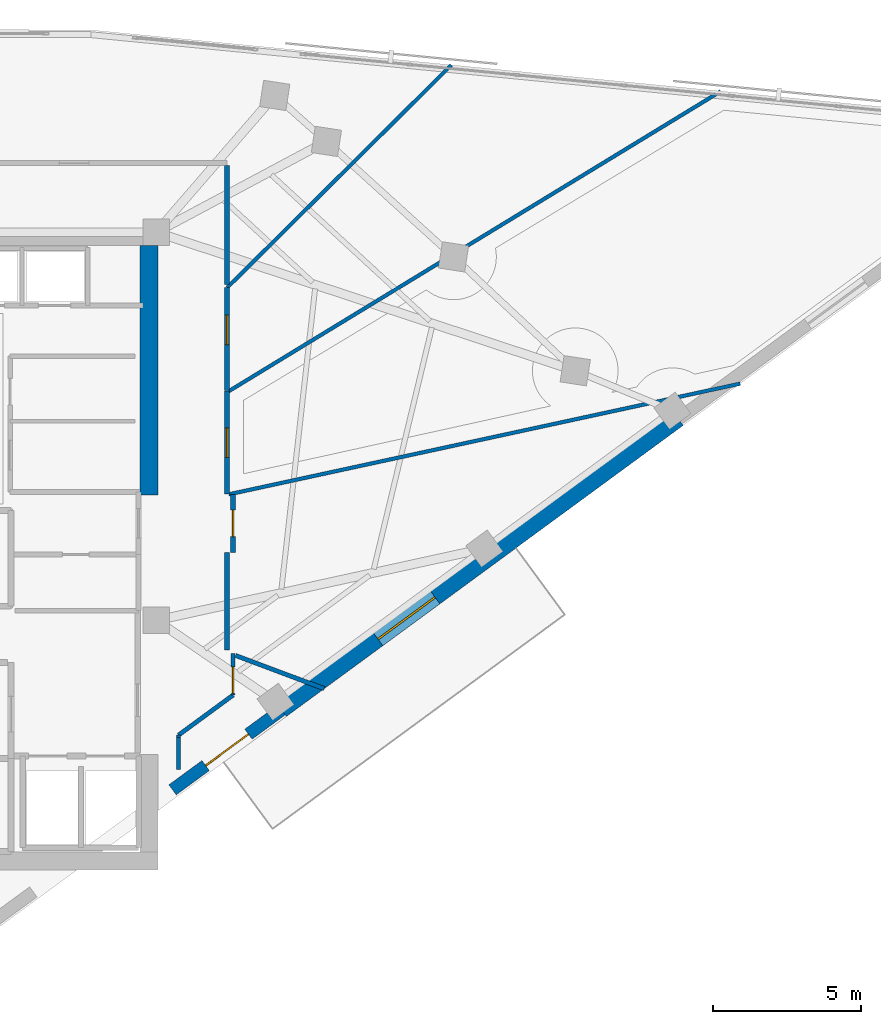
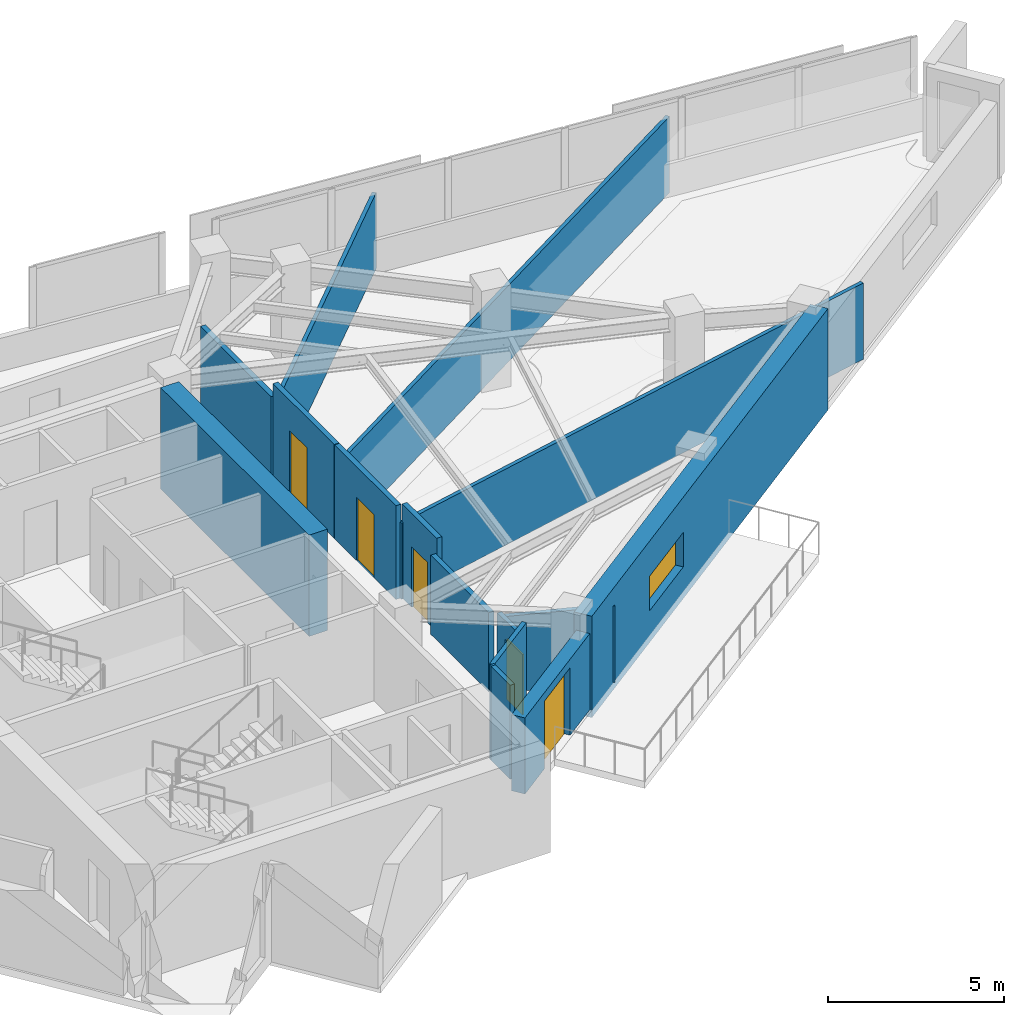
# One storey, part 10 of 13: 16 walls, 5 doors, 1 window, 6 openings.
"""IFC4 building model written with IfcOpenShell, lengths in metres."""

from ifc_helpers import new_model, si_unit, direction, frame, frame_2d, origin, place, context, subcontext, project, spatial, rectangle, extrude, material, layer, layer_set, type_object, element, fill, save


model = new_model("IFC4")

# Units and contexts
model_context = context("Model", 3, precision=1e-05, world=origin(), true_north=direction((0.0, 1.0)))
body_context = subcontext(model_context, "Body", "Model", "MODEL_VIEW")
ifc_project = project(units=[si_unit("LENGTHUNIT", "METRE"), si_unit("AREAUNIT", "SQUARE_METRE"), si_unit("VOLUMEUNIT", "CUBIC_METRE"), si_unit("PLANEANGLEUNIT", "RADIAN"), si_unit("MASSUNIT", "GRAM", prefix="KILO")], contexts=[model_context])

# Site, building, storey
site_placement = place(None, origin())
site = spatial("IfcSite", under=ifc_project, at=site_placement, CompositionType="ELEMENT")
building_placement = place(site_placement, origin())
building = spatial("IfcBuilding", under=site, at=building_placement, Name="Narakoshi Arena Tower", CompositionType="ELEMENT")
storey_placement = place(building_placement, frame((0.0, 0.0, 232.580078125)))
storey = spatial("IfcBuildingStorey", under=building, at=storey_placement, Name="L63", CompositionType="ELEMENT", Elevation=232.580078125)

# Walls
ifc_material_1 = material(Name="Concrete C50/60", Category="concrete")
ifc_layer_1 = layer(ifc_material_1, 0.60009765625)
ifc_layer_set_1 = layer_set([ifc_layer_1], Name="Concrete C50/60")
wall_type_1 = type_object("IfcWallType", Name="WL-CORE-600", PredefinedType="SHEAR", material=ifc_layer_set_1)
wall_1_placement = place(storey_placement, frame((85.300048828125, 47.60009765625, -0.260009765625), z_axis=(0.0, 0.0, 1.0), x_axis=(0.0, 1.0, 0.0)))
element("IfcWall", 1, at=wall_1_placement, inside=storey, type_object=wall_type_1, Name="L63 Main Core Shear Wall CW-MN-E", PredefinedType="SHEAR", context=body_context, shape_type="SweptSolid", body=[
    extrude(rectangle(XDim=8.449951171875, YDim=0.60009765625, at=frame_2d((4.22509765625, 0.0))), origin(), (0.0, 0.0, 1.0), 3.52001953125),
])
ifc_material_2 = material(Name="Gypsum plasterboard fire-rated partition")
ifc_layer_2 = layer(ifc_material_2, 0.1650390625)
ifc_layer_set_2 = layer_set([ifc_layer_2], Name="Gypsum plasterboard fire-rated partition")
wall_type_2 = type_object("IfcWallType", Name="WL-CORR-165", PredefinedType="PARTITIONING", material=ifc_layer_set_2)
wall_2_placement = place(storey_placement, frame((87.949951171875, 42.35009765625, 0.0), z_axis=(0.0, 0.0, 1.0), x_axis=(0.0, 1.0, 0.0)))
element("IfcWall", 2, at=wall_2_placement, inside=storey, type_object=wall_type_2, Name="L63 Corridor Partition 03-1", PredefinedType="PARTITIONING", context=body_context, shape_type="SweptSolid", body=[
    extrude(rectangle(XDim=3.2998046875, YDim=0.1650390625, at=frame_2d((1.64990234375, 0.0))), origin(), (0.0, 0.0, 1.0), 2.744873046875),
])

# Wall, opening, door
wall_3_placement = place(storey_placement, frame((88.14990234375, 45.64990234375, 0.0), z_axis=(0.0, 0.0, 1.0), x_axis=(0.0, 1.0, 0.0)))
wall_3 = element("IfcWall", 3, at=wall_3_placement, inside=storey, type_object=wall_type_2, Name="L63 Corridor Partition 03-2", PredefinedType="PARTITIONING", context=body_context, shape_type="SweptSolid", body=[
    extrude(rectangle(XDim=1.97021484375, YDim=0.1650390625, at=frame_2d((0.985107421875, 0.0))), origin(), (0.0, 0.0, 1.0), 3.260009765625),
])
opening_1_placement = place(wall_3_placement, frame((0.534912109375, 0.0, 0.0)))
opening_1 = element("IfcOpeningElement", 4, at=opening_1_placement, cuts=wall_3, Name="Opening D-08", PredefinedType="OPENING", context=body_context, shape_type="SweptSolid", body=[
    extrude(rectangle(XDim=0.89990234375, YDim=2.10009765625, at=frame_2d((0.449951171875, 1.050048828125))), frame((0.0, 0.092529296875, 0.0), z_axis=(0.0, -1.0, 0.0), x_axis=(1.0, 0.0, 0.0)), (0.0, 0.0, 1.0), 0.18505859375),
])
ifc_material_3 = material(Name="Moisture-resistant laminate timber", Category="wood")
door_type_1 = type_object("IfcDoorType", Name="DR-WC-900", OperationType="NOTDEFINED", PredefinedType="DOOR", material=ifc_material_3)
door_1_placement = place(opening_1_placement, frame((0.89990234375, 0.0, 0.0), z_axis=(0.0, 0.0, 1.0), x_axis=(-1.0, 0.0, 0.0)))
door_1 = element("IfcDoor", 5, at=door_1_placement, inside=storey, type_object=door_type_1, Name="DR-L63-019", OperationType="SINGLE_SWING_LEFT", OverallHeight=2.10009765625, OverallWidth=0.89990234375, PredefinedType="DOOR", context=body_context, shape_type="SweptSolid", body=[
    extrude(rectangle(XDim=0.89990234375, YDim=2.10009765625, at=frame_2d((0.449951171875, 1.050048828125))), frame((0.0, 0.02490234375, 0.0), z_axis=(0.0, -1.0, 0.0), x_axis=(1.0, 0.0, 0.0)), (0.0, 0.0, 1.0), 0.050048828125),
])
fill(opening_1, door_1)

wall_4_placement = place(storey_placement, frame((87.949951171875, 47.63232421875, 0.0), z_axis=(0.0, 0.0, 1.0), x_axis=(0.0, 1.0, 0.0)))
wall_4 = element("IfcWall", 6, at=wall_4_placement, inside=storey, type_object=wall_type_2, Name="L63 Corridor Partition 04-1", PredefinedType="PARTITIONING", context=body_context, shape_type="SweptSolid", body=[
    extrude(rectangle(XDim=3.48095703125, YDim=0.1650390625, at=frame_2d((1.740478515625, 0.0))), origin(), (0.0, 0.0, 1.0), 3.260009765625),
])
opening_2_placement = place(wall_4_placement, frame((1.240478515625, 0.0, 0.0)))
opening_2 = element("IfcOpeningElement", 7, at=opening_2_placement, cuts=wall_4, Name="Opening D-06", PredefinedType="OPENING", context=body_context, shape_type="SweptSolid", body=[
    extrude(rectangle(XDim=1.0, YDim=2.199951171875, at=frame_2d((0.5, 1.10009765625))), frame((0.0, 0.092529296875, 0.0), z_axis=(0.0, -1.0, 0.0), x_axis=(1.0, 0.0, 0.0)), (0.0, 0.0, 1.0), 0.18505859375),
])
ifc_material_4 = material(Name="Stained oak solid-core timber", Category="wood")
door_type_2 = type_object("IfcDoorType", Name="DR-OFF-1000", OperationType="NOTDEFINED", PredefinedType="DOOR", material=ifc_material_4)
door_2_placement = place(opening_2_placement, frame((1.0, 0.0, 0.0), z_axis=(0.0, 0.0, 1.0), x_axis=(-1.0, 0.0, 0.0)))
door_2 = element("IfcDoor", 8, at=door_2_placement, inside=storey, type_object=door_type_2, Name="DR-L63-020", OperationType="SINGLE_SWING_RIGHT", OverallHeight=2.199951171875, OverallWidth=1.0, PredefinedType="DOOR", context=body_context, shape_type="SweptSolid", body=[
    extrude(rectangle(XDim=1.0, YDim=2.199951171875, at=frame_2d((0.5, 1.10009765625))), frame((0.0, 0.02490234375, 0.0), z_axis=(0.0, -1.0, 0.0), x_axis=(1.0, 0.0, 0.0)), (0.0, 0.0, 1.0), 0.050048828125),
])
fill(opening_2, door_2)

wall_5_placement = place(storey_placement, frame((87.949951171875, 51.14111328125, 0.0), z_axis=(0.0, 0.0, 1.0), x_axis=(0.0, 1.0, 0.0)))
wall_5 = element("IfcWall", 9, at=wall_5_placement, inside=storey, type_object=wall_type_2, Name="L63 Corridor Partition 05-1", PredefinedType="PARTITIONING", context=body_context, shape_type="SweptSolid", body=[
    extrude(rectangle(XDim=3.48095703125, YDim=0.1650390625, at=frame_2d((1.740478515625, 0.0))), origin(), (0.0, 0.0, 1.0), 3.260009765625),
])
opening_3_placement = place(wall_5_placement, frame((1.552490234375, 0.0, 0.0)))
opening_3 = element("IfcOpeningElement", 10, at=opening_3_placement, cuts=wall_5, Name="Opening D-06", PredefinedType="OPENING", context=body_context, shape_type="SweptSolid", body=[
    extrude(rectangle(XDim=1.0, YDim=2.199951171875, at=frame_2d((0.5, 1.10009765625))), frame((0.0, 0.092529296875, 0.0), z_axis=(0.0, -1.0, 0.0), x_axis=(1.0, 0.0, 0.0)), (0.0, 0.0, 1.0), 0.18505859375),
])
door_3_placement = place(opening_3_placement, frame((1.0, 0.0, 0.0), z_axis=(0.0, 0.0, 1.0), x_axis=(-1.0, 0.0, 0.0)))
door_3 = element("IfcDoor", 11, at=door_3_placement, inside=storey, type_object=door_type_2, Name="DR-L63-021", OperationType="SINGLE_SWING_LEFT", OverallHeight=2.199951171875, OverallWidth=1.0, PredefinedType="DOOR", context=body_context, shape_type="SweptSolid", body=[
    extrude(rectangle(XDim=1.0, YDim=2.199951171875, at=frame_2d((0.5, 1.10009765625))), frame((0.0, 0.02490234375, 0.0), z_axis=(0.0, -1.0, 0.0), x_axis=(1.0, 0.0, 0.0)), (0.0, 0.0, 1.0), 0.050048828125),
])
fill(opening_3, door_3)

# Wall
wall_6_placement = place(storey_placement, frame((87.949951171875, 54.72705078125, 0.0), z_axis=(0.0, 0.0, 1.0), x_axis=(0.0, 1.0, 0.0)))
element("IfcWall", 12, at=wall_6_placement, inside=storey, type_object=wall_type_2, Name="L63 Corridor Partition 06-2", PredefinedType="PARTITIONING", context=body_context, shape_type="SweptSolid", body=[
    extrude(rectangle(XDim=4.028564453125, YDim=0.1650390625, at=frame_2d((2.01416015625, 0.0))), origin(), (0.0, 0.0, 1.0), 2.744873046875),
])

# Wall, opening, window
ifc_layer_3 = layer(ifc_material_1, 0.550048828125)
ifc_layer_set_3 = layer_set([ifc_layer_3], Name="Concrete C50/60")
wall_type_3 = type_object("IfcWallType", Name="WL-LEG-550", PredefinedType="SHEAR", material=ifc_layer_set_3)
wall_7_placement = place(storey_placement, frame((89.79052734375, 40.31640625, -0.260009765625), z_axis=(0.0, 0.0, 1.0), x_axis=(0.806449218078, 0.591303355868, 0.0)))
wall_7 = element("IfcWall", 13, at=wall_7_placement, inside=storey, type_object=wall_type_3, Name="L63 Architectural Concrete Structural Wall LEGA-3", PredefinedType="SHEAR", context=body_context, shape_type="SweptSolid", body=[
    extrude(rectangle(XDim=16.673095703125, YDim=0.550048828125, at=frame_2d((8.33642578125, 0.0))), origin(), (0.0, 0.0, 1.0), 3.52001953125),
])
opening_4_placement = place(wall_7_placement, frame((4.0537109375, 0.0, 1.10009765625)))
opening_4 = element("IfcOpeningElement", 14, at=opening_4_placement, cuts=wall_7, Name="Opening WN-04", PredefinedType="OPENING", context=body_context, shape_type="SweptSolid", body=[
    extrude(rectangle(XDim=2.39990234375, YDim=1.199951171875, at=frame_2d((1.199951171875, 0.60009765625))), frame((0.0, 0.284912109375, 0.0), z_axis=(0.0, -1.0, 0.0), x_axis=(1.0, 0.0, 0.0)), (0.0, 0.0, 1.0), 0.570068359375),
])
ifc_material_5 = material(Name="Bronze-tinted low-E laminated glass", Category="glass")
window_type = type_object("IfcWindowType", Name="WIN-SLT-24x12", PartitioningType="SINGLE_PANEL", PredefinedType="WINDOW", material=ifc_material_5)
window_placement = place(opening_4_placement, origin())
window = element("IfcWindow", 15, at=window_placement, inside=storey, type_object=window_type, Name="L63 LEGA3 Horizontal Slot Window 1", OverallHeight=1.199951171875, OverallWidth=2.39990234375, PartitioningType="SINGLE_PANEL", PredefinedType="WINDOW", context=body_context, shape_type="SweptSolid", body=[
    extrude(rectangle(XDim=2.39990234375, YDim=1.199951171875, at=frame_2d((1.199951171875, 0.60009765625))), frame((0.0, 0.030029296875, 0.0), z_axis=(0.0, -1.0, 0.0), x_axis=(1.0, 0.0, 0.0)), (0.0, 0.0, 1.0), 0.06005859375),
])
fill(opening_4, window)

# Walls
ifc_layer_4 = layer(ifc_material_2, 0.125)
ifc_layer_set_4 = layer_set([ifc_layer_4], Name="Gypsum plasterboard fire-rated partition")
wall_type_4 = type_object("IfcWallType", Name="WL-PART-125", PredefinedType="PARTITIONING", material=ifc_layer_set_4)
wall_8_placement = place(storey_placement, frame((88.005126953125, 47.6201171875, 0.0), z_axis=(0.0, 0.0, 1.0), x_axis=(0.977367010923, 0.211550764497, 0.0)))
element("IfcWall", 16, at=wall_8_placement, inside=storey, type_object=wall_type_4, Name="L63 Inter-Room Partition 03-04", PredefinedType="PARTITIONING", context=body_context, shape_type="SweptSolid", body=[
    extrude(rectangle(XDim=17.727294921875, YDim=0.125, at=frame_2d((8.86376953125, 0.0))), origin(), (0.0, 0.0, 1.0), 2.64501953125),
])
wall_9_placement = place(storey_placement, frame((88.002197265625, 51.11328125, 0.0), z_axis=(0.0, 0.0, 1.0), x_axis=(0.853848496669, 0.520521608327, 0.0)))
element("IfcWall", 17, at=wall_9_placement, inside=storey, type_object=wall_type_4, Name="L63 Inter-Room Partition 04-05", PredefinedType="PARTITIONING", context=body_context, shape_type="SweptSolid", body=[
    extrude(rectangle(XDim=19.525390625, YDim=0.125, at=frame_2d((9.7626953125, 0.0))), origin(), (0.0, 0.0, 1.0), 2.64501953125),
])
wall_10_placement = place(storey_placement, frame((87.949951171875, 54.6220703125, 0.0), z_axis=(0.0, 0.0, 1.0), x_axis=(0.709497673472, 0.704707777265, 0.0)))
element("IfcWall", 18, at=wall_10_placement, inside=storey, type_object=wall_type_4, Name="L63 Inter-Room Partition 05-06", PredefinedType="PARTITIONING", context=body_context, shape_type="SweptSolid", body=[
    extrude(rectangle(XDim=10.70361328125, YDim=0.125, at=frame_2d((5.351806640625, 0.0))), origin(), (0.0, 0.0, 1.0), 2.64501953125),
])

# Wall, opening, door
ifc_material_6 = material(Name="Precast concrete C45/55", Category="concrete")
ifc_layer_5 = layer(ifc_material_6, 0.419921875)
ifc_layer_set_5 = layer_set([ifc_layer_5], Name="Precast concrete C45/55")
wall_type_5 = type_object("IfcWallType", Name="WL-POD-420", PredefinedType="SOLIDWALL", material=ifc_layer_set_5)
wall_11_placement = place(storey_placement, frame((86.10009765625, 37.6103515625, 0.0), z_axis=(0.0, 0.0, 1.0), x_axis=(0.806432132361, 0.591326657521, 0.0)))
wall_11 = element("IfcWall", 19, at=wall_11_placement, inside=storey, type_object=wall_type_5, Name="L63 Architectural Concrete Facade Wall LEGA-2", PredefinedType="SOLIDWALL", context=body_context, shape_type="SweptSolid", body=[
    extrude(rectangle(XDim=4.576171875, YDim=0.419921875, at=frame_2d((2.2880859375, 0.0))), origin(), (0.0, 0.0, 1.0), 2.64501953125),
])
opening_5_placement = place(wall_11_placement, frame((1.38818359375, 0.0, 0.0)))
opening_5 = element("IfcOpeningElement", 20, at=opening_5_placement, cuts=wall_11, Name="Opening D-11", PredefinedType="OPENING", context=body_context, shape_type="SweptSolid", body=[
    extrude(rectangle(XDim=1.800048828125, YDim=2.35009765625, at=frame_2d((0.89990234375, 1.175048828125))), frame((0.0, 0.219970703125, 0.0), z_axis=(0.0, -1.0, 0.0), x_axis=(1.0, 0.0, 0.0)), (0.0, 0.0, 1.0), 0.43994140625),
])
ifc_material_7 = material(Name="Anodised bronze aluminium 6063-T6", Category="aluminium")
door_type_3 = type_object("IfcDoorType", Name="DR-TER-1800", OperationType="DOUBLE_DOOR_SLIDING", PredefinedType="DOOR", material=ifc_material_7)
door_4_placement = place(opening_5_placement, origin())
door_4 = element("IfcDoor", 21, at=door_4_placement, inside=storey, type_object=door_type_3, Name="DR-L63-001", OperationType="DOUBLE_DOOR_SLIDING", OverallHeight=2.35009765625, OverallWidth=1.800048828125, PredefinedType="DOOR", context=body_context, shape_type="SweptSolid", body=[
    extrude(rectangle(XDim=1.800048828125, YDim=2.35009765625, at=frame_2d((0.89990234375, 1.175048828125))), frame((0.0, 0.02490234375, 0.0), z_axis=(0.0, -1.0, 0.0), x_axis=(1.0, 0.0, 0.0)), (0.0, 0.0, 1.0), 0.050048828125),
])
fill(opening_5, door_4)

# Wall
ifc_material_8 = material(Name="Moisture-resistant cement-board partition")
ifc_layer_6 = layer(ifc_material_8, 0.14501953125)
ifc_layer_set_6 = layer_set([ifc_layer_6], Name="Moisture-resistant cement-board partition")
wall_type_6 = type_object("IfcWallType", Name="WL-WET-145", PredefinedType="PARTITIONING", material=ifc_layer_set_6)
wall_12_placement = place(storey_placement, frame((86.300048828125, 39.4619140625, 0.0), z_axis=(0.0, 0.0, 1.0), x_axis=(0.80642868075, 0.591331364689, 0.0)))
element("IfcWall", 22, at=wall_12_placement, inside=storey, type_object=wall_type_6, Name="L63 Corridor Partition 02-1", PredefinedType="PARTITIONING", context=body_context, shape_type="SweptSolid", body=[
    extrude(rectangle(XDim=2.2939453125, YDim=0.14501953125, at=frame_2d((1.14697265625, 0.0))), origin(), (0.0, 0.0, 1.0), 3.260009765625),
])

# Wall, opening, door
wall_13_placement = place(storey_placement, frame((88.14990234375, 40.818359375, 0.0), z_axis=(0.0, 0.0, 1.0), x_axis=(0.0, 1.0, 0.0)))
wall_13 = element("IfcWall", 23, at=wall_13_placement, inside=storey, type_object=wall_type_6, Name="L63 Corridor Partition 02-2", PredefinedType="PARTITIONING", context=body_context, shape_type="SweptSolid", body=[
    extrude(rectangle(XDim=1.411865234375, YDim=0.14501953125, at=frame_2d((0.7060546875, 0.0))), origin(), (0.0, 0.0, 1.0), 2.744873046875),
])
opening_6_placement = place(wall_13_placement, frame((0.06005859375, 0.0, 0.0)))
opening_6 = element("IfcOpeningElement", 24, at=opening_6_placement, cuts=wall_13, Name="Opening D-08", PredefinedType="OPENING", context=body_context, shape_type="SweptSolid", body=[
    extrude(rectangle(XDim=0.89990234375, YDim=2.10009765625, at=frame_2d((0.449951171875, 1.050048828125))), frame((0.0, 0.08251953125, 0.0), z_axis=(0.0, -1.0, 0.0), x_axis=(1.0, 0.0, 0.0)), (0.0, 0.0, 1.0), 0.1650390625),
])
door_5_placement = place(opening_6_placement, origin())
door_5 = element("IfcDoor", 25, at=door_5_placement, inside=storey, type_object=door_type_1, Name="DR-L63-018", OperationType="SINGLE_SWING_RIGHT", OverallHeight=2.10009765625, OverallWidth=0.89990234375, PredefinedType="DOOR", context=body_context, shape_type="SweptSolid", body=[
    extrude(rectangle(XDim=0.89990234375, YDim=2.10009765625, at=frame_2d((0.449951171875, 1.050048828125))), frame((0.0, 0.02490234375, 0.0), z_axis=(0.0, -1.0, 0.0), x_axis=(1.0, 0.0, 0.0)), (0.0, 0.0, 1.0), 0.050048828125),
])
fill(opening_6, door_5)

# Walls
wall_14_placement = place(storey_placement, frame((86.300048828125, 39.3876953125, 0.0), z_axis=(0.0, 0.0, 1.0), x_axis=(0.0, 1.0, 0.0)))
element("IfcWall", 26, at=wall_14_placement, inside=storey, type_object=wall_type_6, Name="L63 Corridor Partition 02-3", PredefinedType="PARTITIONING", context=body_context, shape_type="SweptSolid", body=[
    extrude(rectangle(XDim=0.07421875, YDim=0.14501953125, at=frame_2d((0.037109375, 0.0))), origin(), (0.0, 0.0, 1.0), 3.260009765625),
])
wall_15_placement = place(storey_placement, frame((88.234619140625, 42.160400390625, 0.0), z_axis=(0.0, 0.0, 1.0), x_axis=(0.936507423825, -0.35064775077, 0.0)))
element("IfcWall", 27, at=wall_15_placement, inside=storey, type_object=wall_type_6, Name="L63 Inter-Room Partition 02-03", PredefinedType="PARTITIONING", context=body_context, shape_type="SweptSolid", body=[
    extrude(rectangle(XDim=3.206298828125, YDim=0.14501953125, at=frame_2d((1.60302734375, 0.0))), origin(), (0.0, 0.0, 1.0), 2.64501953125),
])
wall_16_placement = place(storey_placement, frame((86.300048828125, 38.290283203125, 0.0), z_axis=(0.0, 0.0, 1.0), x_axis=(0.0, 1.0, 0.0)))
element("IfcWall", 28, at=wall_16_placement, inside=storey, type_object=wall_type_6, Name="L63 Room Enclosure Partition 02-1", PredefinedType="PARTITIONING", context=body_context, shape_type="SweptSolid", body=[
    extrude(rectangle(XDim=1.097412109375, YDim=0.14501953125, at=frame_2d((0.548828125, 0.0))), origin(), (0.0, 0.0, 1.0), 3.260009765625),
])

save(model, "model.ifc")
